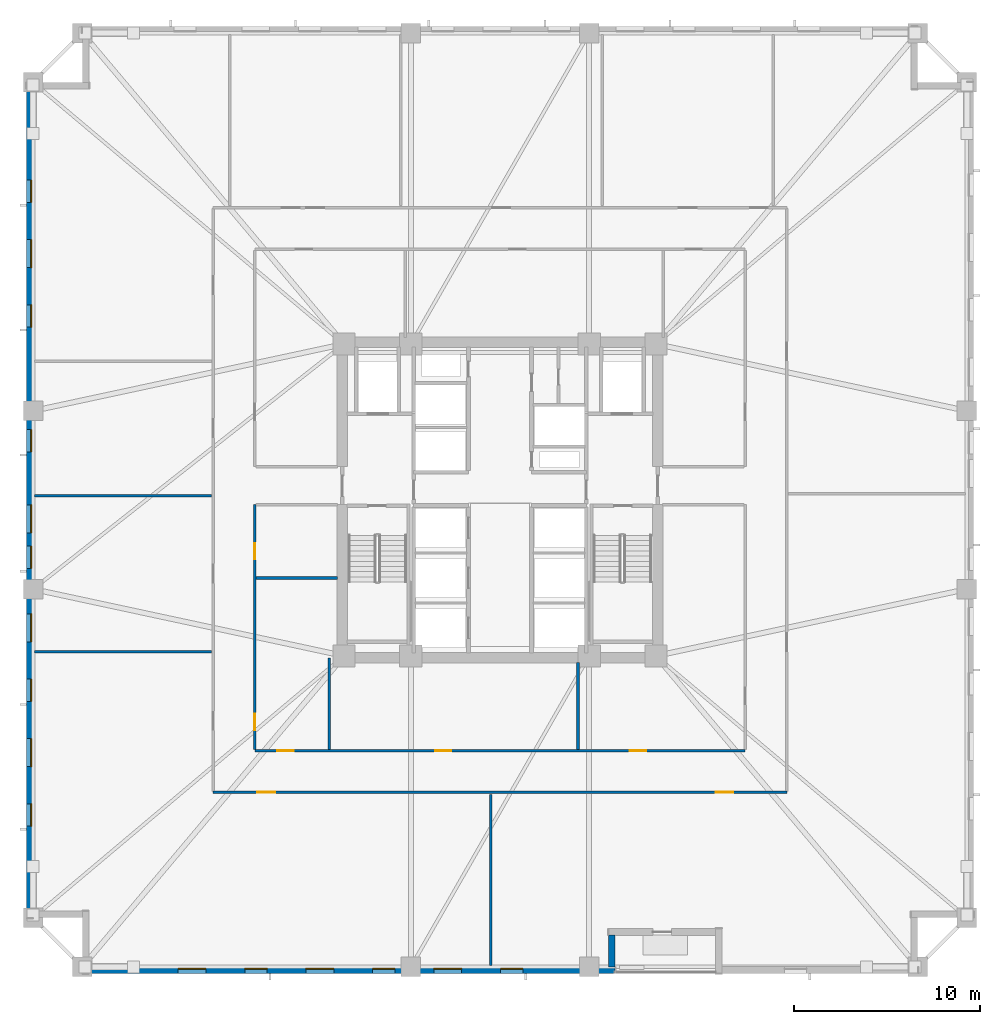
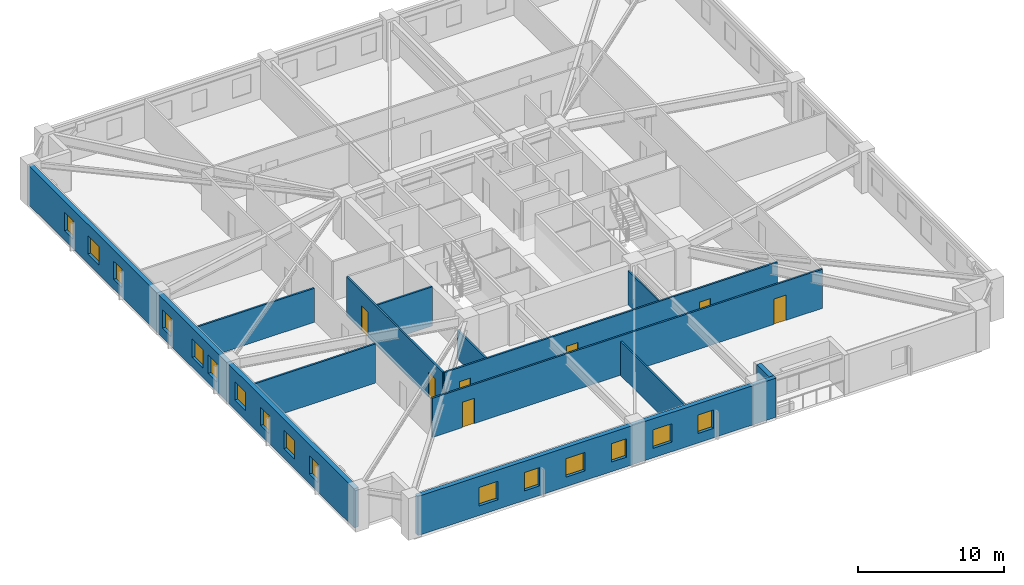
# One storey, part 2 of 11: 16 windows, 12 walls, 7 doors, 23 openings.
"""IFC4 building model written with IfcOpenShell, lengths in metres."""

from ifc_helpers import new_model, si_unit, direction, frame, frame_2d, origin, place, context, subcontext, project, spatial, rectangle, extrude, material, layer, layer_set, type_object, element, fill, save


model = new_model("IFC4")

# Units and contexts
model_context = context("Model", 3, precision=1e-05, world=origin(), true_north=direction((0.0, 1.0)))
body_context = subcontext(model_context, "Body", "Model", "MODEL_VIEW")
ifc_project = project(units=[si_unit("LENGTHUNIT", "METRE"), si_unit("AREAUNIT", "SQUARE_METRE"), si_unit("VOLUMEUNIT", "CUBIC_METRE"), si_unit("PLANEANGLEUNIT", "RADIAN"), si_unit("MASSUNIT", "GRAM", prefix="KILO")], contexts=[model_context])

# Site, building, storey
site_placement = place(None, origin())
site = spatial("IfcSite", under=ifc_project, at=site_placement, CompositionType="ELEMENT")
building_placement = place(site_placement, origin())
building = spatial("IfcBuilding", under=site, at=building_placement, Name="Cairnveth Concourse Tower", CompositionType="ELEMENT")
storey_placement = place(building_placement, frame((0.0, 0.0, 48.0)))
storey = spatial("IfcBuildingStorey", under=building, at=storey_placement, Name="L12", CompositionType="ELEMENT", Elevation=48.0)

# Wall, openings, doors
ifc_material_1 = material(Name="Gypsum Plasterboard Partition", Category="gypsum")
ifc_layer_1 = layer(ifc_material_1, 0.139892578125)
ifc_layer_set_1 = layer_set([ifc_layer_1], Name="Gypsum Plasterboard Partition")
wall_type_1 = type_object("IfcWallType", Name="GYPSUM STUD PARTITION 140", PredefinedType="PARTITIONING", material=ifc_layer_set_1)
wall_1_placement = place(storey_placement, frame((36.550048828125, 23.25, 0.0), z_axis=(0.0, 0.0, 1.0), x_axis=(1.0, 0.0, 0.0)))
wall_1 = element("IfcWall", 1, at=wall_1_placement, inside=storey, type_object=wall_type_1, Name="Interior Wall IW-L12-038", PredefinedType="PARTITIONING", context=body_context, shape_type="SweptSolid", body=[
    extrude(rectangle(XDim=30.89990234375, YDim=0.139892578125, at=frame_2d((15.449951171875, 0.0))), origin(), (0.0, 0.0, 1.0), 3.280029296875),
])
opening_1_placement = place(wall_1_placement, frame((2.38623046875, 0.0, 0.0)))
opening_1 = element("IfcOpeningElement", 2, at=opening_1_placement, cuts=wall_1, Name="Opening ID11", PredefinedType="OPENING", context=body_context, shape_type="SweptSolid", body=[
    extrude(rectangle(XDim=0.9599609375, YDim=2.1201171875, at=frame_2d((0.47998046875, 1.06005859375))), frame((0.0, 0.079833984375, 0.0), z_axis=(0.0, -1.0, 0.0), x_axis=(1.0, 0.0, 0.0)), (0.0, 0.0, 1.0), 0.159912109375),
])
opening_2_placement = place(wall_1_placement, frame((27.06640625, 0.0, 0.0)))
opening_2 = element("IfcOpeningElement", 3, at=opening_2_placement, cuts=wall_1, Name="Opening ID11", PredefinedType="OPENING", context=body_context, shape_type="SweptSolid", body=[
    extrude(rectangle(XDim=0.9599609375, YDim=2.1201171875, at=frame_2d((0.47998046875, 1.06005859375))), frame((0.0, 0.079833984375, 0.0), z_axis=(0.0, -1.0, 0.0), x_axis=(1.0, 0.0, 0.0)), (0.0, 0.0, 1.0), 0.159912109375),
])
ifc_material_2 = material(Name="Solid Core Hardwood Timber Leaf", Category="wood")
door_type_1 = type_object("IfcDoorType", Name="INTERIOR SINGLE DOOR 960X2150", OperationType="NOTDEFINED", PredefinedType="DOOR", material=ifc_material_2)
door_1_placement = place(opening_1_placement, origin())
door_1 = element("IfcDoor", 4, at=door_1_placement, inside=storey, type_object=door_type_1, Name="Office Door L12-S1", OperationType="SINGLE_SWING_LEFT", OverallHeight=2.1201171875, OverallWidth=0.9599609375, PredefinedType="DOOR", context=body_context, shape_type="SweptSolid", body=[
    extrude(rectangle(XDim=0.9599609375, YDim=2.1201171875, at=frame_2d((0.47998046875, 1.06005859375))), frame((0.0, 0.02490234375, 0.0), z_axis=(0.0, -1.0, 0.0), x_axis=(1.0, 0.0, 0.0)), (0.0, 0.0, 1.0), 0.050048828125),
])
fill(opening_1, door_1)
door_2_placement = place(opening_2_placement, origin())
door_2 = element("IfcDoor", 5, at=door_2_placement, inside=storey, type_object=door_type_1, Name="Office Door L12-S2", OperationType="SINGLE_SWING_RIGHT", OverallHeight=2.1201171875, OverallWidth=0.9599609375, PredefinedType="DOOR", context=body_context, shape_type="SweptSolid", body=[
    extrude(rectangle(XDim=0.9599609375, YDim=2.1201171875, at=frame_2d((0.47998046875, 1.06005859375))), frame((0.0, 0.02490234375, 0.0), z_axis=(0.0, -1.0, 0.0), x_axis=(1.0, 0.0, 0.0)), (0.0, 0.0, 1.0), 0.050048828125),
])
fill(opening_2, door_2)

wall_2_placement = place(storey_placement, frame((38.800048828125, 25.5, 0.0), z_axis=(0.0, 0.0, 1.0), x_axis=(1.0, 0.0, 0.0)))
wall_2 = element("IfcWall", 6, at=wall_2_placement, inside=storey, type_object=wall_type_1, Name="Interior Wall IW-L12-042", PredefinedType="PARTITIONING", context=body_context, shape_type="SweptSolid", body=[
    extrude(rectangle(XDim=26.39990234375, YDim=0.139892578125, at=frame_2d((13.199951171875, 0.0))), origin(), (0.0, 0.0, 1.0), 3.280029296875),
])
opening_3_placement = place(wall_2_placement, frame((1.199951171875, 0.0, 0.0)))
opening_3 = element("IfcOpeningElement", 7, at=opening_3_placement, cuts=wall_2, Name="Opening ID18", PredefinedType="OPENING", context=body_context, shape_type="SweptSolid", body=[
    extrude(rectangle(XDim=0.8798828125, YDim=2.10009765625, at=frame_2d((0.43994140625, 1.050048828125))), frame((0.0, 0.079833984375, 0.0), z_axis=(0.0, -1.0, 0.0), x_axis=(1.0, 0.0, 0.0)), (0.0, 0.0, 1.0), 0.159912109375),
])
opening_4_placement = place(wall_2_placement, frame((9.699951171875, 0.0, 0.0)))
opening_4 = element("IfcOpeningElement", 8, at=opening_4_placement, cuts=wall_2, Name="Opening ID18", PredefinedType="OPENING", context=body_context, shape_type="SweptSolid", body=[
    extrude(rectangle(XDim=0.8798828125, YDim=2.10009765625, at=frame_2d((0.43994140625, 1.050048828125))), frame((0.0, 0.079833984375, 0.0), z_axis=(0.0, -1.0, 0.0), x_axis=(1.0, 0.0, 0.0)), (0.0, 0.0, 1.0), 0.159912109375),
])
opening_5_placement = place(wall_2_placement, frame((20.199951171875, 0.0, 0.0)))
opening_5 = element("IfcOpeningElement", 9, at=opening_5_placement, cuts=wall_2, Name="Opening ID18", PredefinedType="OPENING", context=body_context, shape_type="SweptSolid", body=[
    extrude(rectangle(XDim=0.8798828125, YDim=2.10009765625, at=frame_2d((0.43994140625, 1.050048828125))), frame((0.0, 0.079833984375, 0.0), z_axis=(0.0, -1.0, 0.0), x_axis=(1.0, 0.0, 0.0)), (0.0, 0.0, 1.0), 0.159912109375),
])
door_type_2 = type_object("IfcDoorType", Name="INTERIOR SINGLE DOOR 880X2100", OperationType="NOTDEFINED", PredefinedType="DOOR", material=ifc_material_2)
door_3_placement = place(opening_3_placement, origin())
door_3 = element("IfcDoor", 10, at=door_3_placement, inside=storey, type_object=door_type_2, Name="Interior Door DR-L12-014", OperationType="SINGLE_SWING_RIGHT", OverallHeight=2.10009765625, OverallWidth=0.8798828125, PredefinedType="DOOR", context=body_context, shape_type="SweptSolid", body=[
    extrude(rectangle(XDim=0.8798828125, YDim=2.10009765625, at=frame_2d((0.43994140625, 1.050048828125))), frame((0.0, 0.02490234375, 0.0), z_axis=(0.0, -1.0, 0.0), x_axis=(1.0, 0.0, 0.0)), (0.0, 0.0, 1.0), 0.050048828125),
])
fill(opening_3, door_3)
door_4_placement = place(opening_4_placement, origin())
door_4 = element("IfcDoor", 11, at=door_4_placement, inside=storey, type_object=door_type_2, Name="Interior Door DR-L12-015", OperationType="SINGLE_SWING_LEFT", OverallHeight=2.10009765625, OverallWidth=0.8798828125, PredefinedType="DOOR", context=body_context, shape_type="SweptSolid", body=[
    extrude(rectangle(XDim=0.8798828125, YDim=2.10009765625, at=frame_2d((0.43994140625, 1.050048828125))), frame((0.0, 0.02490234375, 0.0), z_axis=(0.0, -1.0, 0.0), x_axis=(1.0, 0.0, 0.0)), (0.0, 0.0, 1.0), 0.050048828125),
])
fill(opening_4, door_4)
door_5_placement = place(opening_5_placement, origin())
door_5 = element("IfcDoor", 12, at=door_5_placement, inside=storey, type_object=door_type_2, Name="Interior Door DR-L12-016", OperationType="SINGLE_SWING_RIGHT", OverallHeight=2.10009765625, OverallWidth=0.8798828125, PredefinedType="DOOR", context=body_context, shape_type="SweptSolid", body=[
    extrude(rectangle(XDim=0.8798828125, YDim=2.10009765625, at=frame_2d((0.43994140625, 1.050048828125))), frame((0.0, 0.02490234375, 0.0), z_axis=(0.0, -1.0, 0.0), x_axis=(1.0, 0.0, 0.0)), (0.0, 0.0, 1.0), 0.050048828125),
])
fill(opening_5, door_5)

wall_3_placement = place(storey_placement, frame((38.800048828125, 25.554931640625, 0.0), z_axis=(0.0, 0.0, 1.0), x_axis=(0.0, 1.0, 0.0)))
wall_3 = element("IfcWall", 13, at=wall_3_placement, inside=storey, type_object=wall_type_1, Name="Interior Wall IW-L12-044", PredefinedType="PARTITIONING", context=body_context, shape_type="SweptSolid", body=[
    extrude(rectangle(XDim=13.195068359375, YDim=0.139892578125, at=frame_2d((6.59765625, 0.0))), origin(), (0.0, 0.0, 1.0), 3.280029296875),
])
opening_6_placement = place(wall_3_placement, frame((1.044921875, 0.0, 0.0)))
opening_6 = element("IfcOpeningElement", 14, at=opening_6_placement, cuts=wall_3, Name="Opening ID18", PredefinedType="OPENING", context=body_context, shape_type="SweptSolid", body=[
    extrude(rectangle(XDim=0.8798828125, YDim=2.10009765625, at=frame_2d((0.43994140625, 1.050048828125))), frame((0.0, 0.079833984375, 0.0), z_axis=(0.0, -1.0, 0.0), x_axis=(1.0, 0.0, 0.0)), (0.0, 0.0, 1.0), 0.159912109375),
])
opening_7_placement = place(wall_3_placement, frame((10.2451171875, 0.0, 0.0)))
opening_7 = element("IfcOpeningElement", 15, at=opening_7_placement, cuts=wall_3, Name="Opening ID18", PredefinedType="OPENING", context=body_context, shape_type="SweptSolid", body=[
    extrude(rectangle(XDim=0.8798828125, YDim=2.10009765625, at=frame_2d((0.43994140625, 1.050048828125))), frame((0.0, 0.079833984375, 0.0), z_axis=(0.0, -1.0, 0.0), x_axis=(1.0, 0.0, 0.0)), (0.0, 0.0, 1.0), 0.159912109375),
])
door_6_placement = place(opening_6_placement, origin())
door_6 = element("IfcDoor", 16, at=door_6_placement, inside=storey, type_object=door_type_2, Name="Interior Door DR-L12-020", OperationType="SINGLE_SWING_RIGHT", OverallHeight=2.10009765625, OverallWidth=0.8798828125, PredefinedType="DOOR", context=body_context, shape_type="SweptSolid", body=[
    extrude(rectangle(XDim=0.8798828125, YDim=2.10009765625, at=frame_2d((0.43994140625, 1.050048828125))), frame((0.0, 0.02490234375, 0.0), z_axis=(0.0, -1.0, 0.0), x_axis=(1.0, 0.0, 0.0)), (0.0, 0.0, 1.0), 0.050048828125),
])
fill(opening_6, door_6)
door_7_placement = place(opening_7_placement, origin())
door_7 = element("IfcDoor", 17, at=door_7_placement, inside=storey, type_object=door_type_2, Name="Interior Door DR-L12-021", OperationType="SINGLE_SWING_LEFT", OverallHeight=2.10009765625, OverallWidth=0.8798828125, PredefinedType="DOOR", context=body_context, shape_type="SweptSolid", body=[
    extrude(rectangle(XDim=0.8798828125, YDim=2.10009765625, at=frame_2d((0.43994140625, 1.050048828125))), frame((0.0, 0.02490234375, 0.0), z_axis=(0.0, -1.0, 0.0), x_axis=(1.0, 0.0, 0.0)), (0.0, 0.0, 1.0), 0.050048828125),
])
fill(opening_7, door_7)

# Walls
wall_4_placement = place(storey_placement, frame((42.800048828125, 25.554931640625, 0.0), z_axis=(0.0, 0.0, 1.0), x_axis=(0.0, 1.0, 0.0)))
element("IfcWall", 18, at=wall_4_placement, inside=storey, type_object=wall_type_1, Name="Interior Wall IW-L12-052", PredefinedType="PARTITIONING", context=body_context, shape_type="SweptSolid", body=[
    extrude(rectangle(XDim=4.945068359375, YDim=0.139892578125, at=frame_2d((2.47265625, 0.0))), origin(), (0.0, 0.0, 1.0), 2.43896484375),
])
wall_5_placement = place(storey_placement, frame((56.199951171875, 25.554931640625, 0.0), z_axis=(0.0, 0.0, 1.0), x_axis=(0.0, 1.0, 0.0)))
element("IfcWall", 19, at=wall_5_placement, inside=storey, type_object=wall_type_1, Name="Interior Wall IW-L12-053", PredefinedType="PARTITIONING", context=body_context, shape_type="SweptSolid", body=[
    extrude(rectangle(XDim=4.68505859375, YDim=0.139892578125, at=frame_2d((2.342529296875, 0.0))), origin(), (0.0, 0.0, 1.0), 2.84912109375),
])
wall_6_placement = place(storey_placement, frame((38.85498046875, 34.800048828125, 0.0), z_axis=(0.0, 0.0, 1.0), x_axis=(1.0, 0.0, 0.0)))
element("IfcWall", 20, at=wall_6_placement, inside=storey, type_object=wall_type_1, Name="Interior Wall IW-L12-056", PredefinedType="PARTITIONING", context=body_context, shape_type="SweptSolid", body=[
    extrude(rectangle(XDim=4.385009765625, YDim=0.139892578125, at=frame_2d((2.1923828125, 0.0))), origin(), (0.0, 0.0, 1.0), 3.280029296875),
])
wall_7_placement = place(storey_placement, frame((51.512451171875, 13.919921875, 0.0), z_axis=(0.0, 0.0, 1.0), x_axis=(0.0, 1.0, 0.0)))
element("IfcWall", 21, at=wall_7_placement, inside=storey, type_object=wall_type_1, Name="Interior Wall IW-L12-057", PredefinedType="PARTITIONING", context=body_context, shape_type="SweptSolid", body=[
    extrude(rectangle(XDim=9.22998046875, YDim=0.139892578125, at=frame_2d((4.614990234375, 0.0))), origin(), (0.0, 0.0, 1.0), 2.84912109375),
])
wall_8_placement = place(storey_placement, frame((26.919921875, 30.833740234375, 0.0), z_axis=(0.0, 0.0, 1.0), x_axis=(1.0, 0.0, 0.0)))
element("IfcWall", 22, at=wall_8_placement, inside=storey, type_object=wall_type_1, Name="Interior Wall IW-L12-062", PredefinedType="PARTITIONING", context=body_context, shape_type="SweptSolid", body=[
    extrude(rectangle(XDim=9.530029296875, YDim=0.139892578125, at=frame_2d((4.76513671875, 0.0))), origin(), (0.0, 0.0, 1.0), 3.280029296875),
])
wall_9_placement = place(storey_placement, frame((26.919921875, 39.236083984375, 0.0), z_axis=(0.0, 0.0, 1.0), x_axis=(1.0, 0.0, 0.0)))
element("IfcWall", 23, at=wall_9_placement, inside=storey, type_object=wall_type_1, Name="Interior Wall IW-L12-063", PredefinedType="PARTITIONING", context=body_context, shape_type="SweptSolid", body=[
    extrude(rectangle(XDim=9.530029296875, YDim=0.139892578125, at=frame_2d((4.76513671875, 0.0))), origin(), (0.0, 0.0, 1.0), 2.84912109375),
])

# Wall, openings, windows
ifc_material_3 = material(Name="Hawthorn Red-Ochre Fired Clay Brick Masonry", Category="masonry")
ifc_layer_2 = layer(ifc_material_3, 0.360107421875)
ifc_layer_set_2 = layer_set([ifc_layer_2], Name="Hawthorn Red-Ochre Fired Clay Brick Masonry")
wall_type_2 = type_object("IfcWallType", Name="ZONE 1 BRICK PIER SPANDREL WALL 360", PredefinedType="SOLIDWALL", material=ifc_layer_set_2)
wall_10_placement = place(storey_placement, frame((58.199951171875, 13.679931640625, 0.0), z_axis=(0.0, 0.0, 1.0), x_axis=(-1.0, 0.0, 0.0)))
wall_10 = element("IfcWall", 24, at=wall_10_placement, inside=storey, type_object=wall_type_2, Name="Exterior Wall EW-L12-S00", PredefinedType="SOLIDWALL", context=body_context, shape_type="SweptSolid", body=[
    extrude(rectangle(XDim=28.362060546875, YDim=0.360107421875, at=frame_2d((14.18115234375, 0.0))), origin(), (0.0, 0.0, 1.0), 3.280029296875),
])
opening_8_placement = place(wall_10_placement, frame((4.9716796875, 0.0, 0.800048828125)))
opening_8 = element("IfcOpeningElement", 25, at=opening_8_placement, cuts=wall_10, Name="Opening W01", PredefinedType="OPENING", context=body_context, shape_type="SweptSolid", body=[
    extrude(rectangle(XDim=1.199951171875, YDim=1.5439453125, at=frame_2d((0.60009765625, 0.77197265625))), frame((0.0, 0.18994140625, 0.0), z_axis=(0.0, -1.0, 0.0), x_axis=(1.0, 0.0, 0.0)), (0.0, 0.0, 1.0), 0.380126953125),
])
opening_9_placement = place(wall_10_placement, frame((8.265380859375, 0.0, 0.800048828125)))
opening_9 = element("IfcOpeningElement", 26, at=opening_9_placement, cuts=wall_10, Name="Opening W03", PredefinedType="OPENING", context=body_context, shape_type="SweptSolid", body=[
    extrude(rectangle(XDim=1.5, YDim=1.5439453125, at=frame_2d((0.75, 0.77197265625))), frame((0.0, 0.18994140625, 0.0), z_axis=(0.0, -1.0, 0.0), x_axis=(1.0, 0.0, 0.0)), (0.0, 0.0, 1.0), 0.380126953125),
])
opening_10_placement = place(wall_10_placement, frame((11.859130859375, 0.0, 0.800048828125)))
opening_10 = element("IfcOpeningElement", 27, at=opening_10_placement, cuts=wall_10, Name="Opening W01", PredefinedType="OPENING", context=body_context, shape_type="SweptSolid", body=[
    extrude(rectangle(XDim=1.199951171875, YDim=1.5439453125, at=frame_2d((0.60009765625, 0.77197265625))), frame((0.0, 0.18994140625, 0.0), z_axis=(0.0, -1.0, 0.0), x_axis=(1.0, 0.0, 0.0)), (0.0, 0.0, 1.0), 0.380126953125),
])
opening_11_placement = place(wall_10_placement, frame((15.15283203125, 0.0, 0.800048828125)))
opening_11 = element("IfcOpeningElement", 28, at=opening_11_placement, cuts=wall_10, Name="Opening W03", PredefinedType="OPENING", context=body_context, shape_type="SweptSolid", body=[
    extrude(rectangle(XDim=1.5, YDim=1.5439453125, at=frame_2d((0.75, 0.77197265625))), frame((0.0, 0.18994140625, 0.0), z_axis=(0.0, -1.0, 0.0), x_axis=(1.0, 0.0, 0.0)), (0.0, 0.0, 1.0), 0.380126953125),
])
opening_12_placement = place(wall_10_placement, frame((18.74658203125, 0.0, 0.800048828125)))
opening_12 = element("IfcOpeningElement", 29, at=opening_12_placement, cuts=wall_10, Name="Opening W01", PredefinedType="OPENING", context=body_context, shape_type="SweptSolid", body=[
    extrude(rectangle(XDim=1.199951171875, YDim=1.5439453125, at=frame_2d((0.60009765625, 0.77197265625))), frame((0.0, 0.18994140625, 0.0), z_axis=(0.0, -1.0, 0.0), x_axis=(1.0, 0.0, 0.0)), (0.0, 0.0, 1.0), 0.380126953125),
])
opening_13_placement = place(wall_10_placement, frame((22.040283203125, 0.0, 0.800048828125)))
opening_13 = element("IfcOpeningElement", 30, at=opening_13_placement, cuts=wall_10, Name="Opening W03", PredefinedType="OPENING", context=body_context, shape_type="SweptSolid", body=[
    extrude(rectangle(XDim=1.5, YDim=1.5439453125, at=frame_2d((0.75, 0.77197265625))), frame((0.0, 0.18994140625, 0.0), z_axis=(0.0, -1.0, 0.0), x_axis=(1.0, 0.0, 0.0)), (0.0, 0.0, 1.0), 0.380126953125),
])
ifc_material_4 = material(Name="Double Glazed Low-E Clear Glass", Category="glass")
window_type_1 = type_object("IfcWindowType", Name="DEEP-SET GOTHIC LANCET WINDOW 1200X1800", PartitioningType="DOUBLE_PANEL_VERTICAL", PredefinedType="WINDOW", material=ifc_material_4)
window_1_placement = place(opening_8_placement, origin())
window_1 = element("IfcWindow", 31, at=window_1_placement, inside=storey, type_object=window_type_1, Name="Gothic Lancet Window L12-0-1", OverallHeight=1.5439453125, OverallWidth=1.199951171875, PartitioningType="SINGLE_PANEL", PredefinedType="WINDOW", context=body_context, shape_type="SweptSolid", body=[
    extrude(rectangle(XDim=1.199951171875, YDim=1.5439453125, at=frame_2d((0.60009765625, 0.77197265625))), frame((0.0, -0.050048828125, 0.0), z_axis=(0.0, -1.0, 0.0), x_axis=(1.0, 0.0, 0.0)), (0.0, 0.0, 1.0), 0.06005859375),
])
fill(opening_8, window_1)
window_2_placement = place(opening_10_placement, origin())
window_2 = element("IfcWindow", 32, at=window_2_placement, inside=storey, type_object=window_type_1, Name="Gothic Lancet Window L12-0-3", OverallHeight=1.5439453125, OverallWidth=1.199951171875, PartitioningType="SINGLE_PANEL", PredefinedType="WINDOW", context=body_context, shape_type="SweptSolid", body=[
    extrude(rectangle(XDim=1.199951171875, YDim=1.5439453125, at=frame_2d((0.60009765625, 0.77197265625))), frame((0.0, -0.050048828125, 0.0), z_axis=(0.0, -1.0, 0.0), x_axis=(1.0, 0.0, 0.0)), (0.0, 0.0, 1.0), 0.06005859375),
])
fill(opening_10, window_2)
window_3_placement = place(opening_12_placement, origin())
window_3 = element("IfcWindow", 33, at=window_3_placement, inside=storey, type_object=window_type_1, Name="Gothic Lancet Window L12-0-5", OverallHeight=1.5439453125, OverallWidth=1.199951171875, PartitioningType="SINGLE_PANEL", PredefinedType="WINDOW", context=body_context, shape_type="SweptSolid", body=[
    extrude(rectangle(XDim=1.199951171875, YDim=1.5439453125, at=frame_2d((0.60009765625, 0.77197265625))), frame((0.0, -0.050048828125, 0.0), z_axis=(0.0, -1.0, 0.0), x_axis=(1.0, 0.0, 0.0)), (0.0, 0.0, 1.0), 0.06005859375),
])
fill(opening_12, window_3)
window_type_2 = type_object("IfcWindowType", Name="DEEP-SET GOTHIC LANCET WINDOW 1500X1800", PartitioningType="DOUBLE_PANEL_VERTICAL", PredefinedType="WINDOW", material=ifc_material_4)
window_4_placement = place(opening_9_placement, origin())
window_4 = element("IfcWindow", 34, at=window_4_placement, inside=storey, type_object=window_type_2, Name="Gothic Lancet Window L12-0-2", OverallHeight=1.5439453125, OverallWidth=1.5, PartitioningType="SINGLE_PANEL", PredefinedType="WINDOW", context=body_context, shape_type="SweptSolid", body=[
    extrude(rectangle(XDim=1.5, YDim=1.5439453125, at=frame_2d((0.75, 0.77197265625))), frame((0.0, -0.050048828125, 0.0), z_axis=(0.0, -1.0, 0.0), x_axis=(1.0, 0.0, 0.0)), (0.0, 0.0, 1.0), 0.06005859375),
])
fill(opening_9, window_4)
window_5_placement = place(opening_11_placement, origin())
window_5 = element("IfcWindow", 35, at=window_5_placement, inside=storey, type_object=window_type_2, Name="Gothic Lancet Window L12-0-4", OverallHeight=1.5439453125, OverallWidth=1.5, PartitioningType="SINGLE_PANEL", PredefinedType="WINDOW", context=body_context, shape_type="SweptSolid", body=[
    extrude(rectangle(XDim=1.5, YDim=1.5439453125, at=frame_2d((0.75, 0.77197265625))), frame((0.0, -0.050048828125, 0.0), z_axis=(0.0, -1.0, 0.0), x_axis=(1.0, 0.0, 0.0)), (0.0, 0.0, 1.0), 0.06005859375),
])
fill(opening_11, window_5)
window_6_placement = place(opening_13_placement, origin())
window_6 = element("IfcWindow", 36, at=window_6_placement, inside=storey, type_object=window_type_2, Name="Gothic Lancet Window L12-0-6", OverallHeight=1.5439453125, OverallWidth=1.5, PartitioningType="SINGLE_PANEL", PredefinedType="WINDOW", context=body_context, shape_type="SweptSolid", body=[
    extrude(rectangle(XDim=1.5, YDim=1.5439453125, at=frame_2d((0.75, 0.77197265625))), frame((0.0, -0.050048828125, 0.0), z_axis=(0.0, -1.0, 0.0), x_axis=(1.0, 0.0, 0.0)), (0.0, 0.0, 1.0), 0.06005859375),
])
fill(opening_13, window_6)

wall_11_placement = place(storey_placement, frame((26.679931640625, 16.5, 0.0), z_axis=(0.0, 0.0, 1.0), x_axis=(0.0, 1.0, 0.0)))
wall_11 = element("IfcWall", 37, at=wall_11_placement, inside=storey, type_object=wall_type_2, Name="Exterior Wall EW-L12-S03", PredefinedType="SOLIDWALL", context=body_context, shape_type="SweptSolid", body=[
    extrude(rectangle(XDim=44.662109375, YDim=0.360107421875, at=frame_2d((22.3310546875, 0.0))), origin(), (0.0, 0.0, 1.0), 3.280029296875),
])
opening_14_placement = place(wall_11_placement, frame((4.93017578125, 0.0, 0.800048828125)))
opening_14 = element("IfcOpeningElement", 38, at=opening_14_placement, cuts=wall_11, Name="Opening W01", PredefinedType="OPENING", context=body_context, shape_type="SweptSolid", body=[
    extrude(rectangle(XDim=1.199951171875, YDim=1.5439453125, at=frame_2d((0.60009765625, 0.77197265625))), frame((0.0, 0.18994140625, 0.0), z_axis=(0.0, -1.0, 0.0), x_axis=(1.0, 0.0, 0.0)), (0.0, 0.0, 1.0), 0.380126953125),
])
opening_15_placement = place(wall_11_placement, frame((8.140380859375, 0.0, 0.800048828125)))
opening_15 = element("IfcOpeningElement", 39, at=opening_15_placement, cuts=wall_11, Name="Opening W03", PredefinedType="OPENING", context=body_context, shape_type="SweptSolid", body=[
    extrude(rectangle(XDim=1.5, YDim=1.5439453125, at=frame_2d((0.75, 0.77197265625))), frame((0.0, 0.18994140625, 0.0), z_axis=(0.0, -1.0, 0.0), x_axis=(1.0, 0.0, 0.0)), (0.0, 0.0, 1.0), 0.380126953125),
])
opening_16_placement = place(wall_11_placement, frame((11.650390625, 0.0, 0.800048828125)))
opening_16 = element("IfcOpeningElement", 40, at=opening_16_placement, cuts=wall_11, Name="Opening W01", PredefinedType="OPENING", context=body_context, shape_type="SweptSolid", body=[
    extrude(rectangle(XDim=1.199951171875, YDim=1.5439453125, at=frame_2d((0.60009765625, 0.77197265625))), frame((0.0, 0.18994140625, 0.0), z_axis=(0.0, -1.0, 0.0), x_axis=(1.0, 0.0, 0.0)), (0.0, 0.0, 1.0), 0.380126953125),
])
opening_17_placement = place(wall_11_placement, frame((14.860595703125, 0.0, 0.800048828125)))
opening_17 = element("IfcOpeningElement", 41, at=opening_17_placement, cuts=wall_11, Name="Opening W03", PredefinedType="OPENING", context=body_context, shape_type="SweptSolid", body=[
    extrude(rectangle(XDim=1.5, YDim=1.5439453125, at=frame_2d((0.75, 0.77197265625))), frame((0.0, 0.18994140625, 0.0), z_axis=(0.0, -1.0, 0.0), x_axis=(1.0, 0.0, 0.0)), (0.0, 0.0, 1.0), 0.380126953125),
])
opening_18_placement = place(wall_11_placement, frame((18.82080078125, 0.0, 0.800048828125)))
opening_18 = element("IfcOpeningElement", 42, at=opening_18_placement, cuts=wall_11, Name="Opening W01", PredefinedType="OPENING", context=body_context, shape_type="SweptSolid", body=[
    extrude(rectangle(XDim=1.199951171875, YDim=1.5439453125, at=frame_2d((0.60009765625, 0.77197265625))), frame((0.0, 0.18994140625, 0.0), z_axis=(0.0, -1.0, 0.0), x_axis=(1.0, 0.0, 0.0)), (0.0, 0.0, 1.0), 0.380126953125),
])
opening_19_placement = place(wall_11_placement, frame((20.73095703125, 0.0, 0.800048828125)))
opening_19 = element("IfcOpeningElement", 43, at=opening_19_placement, cuts=wall_11, Name="Opening W03", PredefinedType="OPENING", context=body_context, shape_type="SweptSolid", body=[
    extrude(rectangle(XDim=1.5, YDim=1.5439453125, at=frame_2d((0.75, 0.77197265625))), frame((0.0, 0.18994140625, 0.0), z_axis=(0.0, -1.0, 0.0), x_axis=(1.0, 0.0, 0.0)), (0.0, 0.0, 1.0), 0.380126953125),
])
opening_20_placement = place(wall_11_placement, frame((25.09130859375, 0.0, 0.800048828125)))
opening_20 = element("IfcOpeningElement", 44, at=opening_20_placement, cuts=wall_11, Name="Opening W01", PredefinedType="OPENING", context=body_context, shape_type="SweptSolid", body=[
    extrude(rectangle(XDim=1.199951171875, YDim=1.5439453125, at=frame_2d((0.60009765625, 0.77197265625))), frame((0.0, 0.18994140625, 0.0), z_axis=(0.0, -1.0, 0.0), x_axis=(1.0, 0.0, 0.0)), (0.0, 0.0, 1.0), 0.380126953125),
])
opening_21_placement = place(wall_11_placement, frame((31.8115234375, 0.0, 0.800048828125)))
opening_21 = element("IfcOpeningElement", 45, at=opening_21_placement, cuts=wall_11, Name="Opening W01", PredefinedType="OPENING", context=body_context, shape_type="SweptSolid", body=[
    extrude(rectangle(XDim=1.199951171875, YDim=1.5439453125, at=frame_2d((0.60009765625, 0.77197265625))), frame((0.0, 0.18994140625, 0.0), z_axis=(0.0, -1.0, 0.0), x_axis=(1.0, 0.0, 0.0)), (0.0, 0.0, 1.0), 0.380126953125),
])
opening_22_placement = place(wall_11_placement, frame((35.021728515625, 0.0, 0.800048828125)))
opening_22 = element("IfcOpeningElement", 46, at=opening_22_placement, cuts=wall_11, Name="Opening W03", PredefinedType="OPENING", context=body_context, shape_type="SweptSolid", body=[
    extrude(rectangle(XDim=1.5, YDim=1.5439453125, at=frame_2d((0.75, 0.77197265625))), frame((0.0, 0.18994140625, 0.0), z_axis=(0.0, -1.0, 0.0), x_axis=(1.0, 0.0, 0.0)), (0.0, 0.0, 1.0), 0.380126953125),
])
opening_23_placement = place(wall_11_placement, frame((38.531982421875, 0.0, 0.800048828125)))
opening_23 = element("IfcOpeningElement", 47, at=opening_23_placement, cuts=wall_11, Name="Opening W01", PredefinedType="OPENING", context=body_context, shape_type="SweptSolid", body=[
    extrude(rectangle(XDim=1.199951171875, YDim=1.5439453125, at=frame_2d((0.60009765625, 0.77197265625))), frame((0.0, 0.18994140625, 0.0), z_axis=(0.0, -1.0, 0.0), x_axis=(1.0, 0.0, 0.0)), (0.0, 0.0, 1.0), 0.380126953125),
])
window_7_placement = place(opening_14_placement, origin())
window_7 = element("IfcWindow", 48, at=window_7_placement, inside=storey, type_object=window_type_1, Name="Gothic Lancet Window L12-3-1", OverallHeight=1.5439453125, OverallWidth=1.199951171875, PartitioningType="SINGLE_PANEL", PredefinedType="WINDOW", context=body_context, shape_type="SweptSolid", body=[
    extrude(rectangle(XDim=1.199951171875, YDim=1.5439453125, at=frame_2d((0.60009765625, 0.77197265625))), frame((0.0, -0.050048828125, 0.0), z_axis=(0.0, -1.0, 0.0), x_axis=(1.0, 0.0, 0.0)), (0.0, 0.0, 1.0), 0.06005859375),
])
fill(opening_14, window_7)
window_8_placement = place(opening_16_placement, origin())
window_8 = element("IfcWindow", 49, at=window_8_placement, inside=storey, type_object=window_type_1, Name="Gothic Lancet Window L12-3-3", OverallHeight=1.5439453125, OverallWidth=1.199951171875, PartitioningType="SINGLE_PANEL", PredefinedType="WINDOW", context=body_context, shape_type="SweptSolid", body=[
    extrude(rectangle(XDim=1.199951171875, YDim=1.5439453125, at=frame_2d((0.60009765625, 0.77197265625))), frame((0.0, -0.050048828125, 0.0), z_axis=(0.0, -1.0, 0.0), x_axis=(1.0, 0.0, 0.0)), (0.0, 0.0, 1.0), 0.06005859375),
])
fill(opening_16, window_8)
window_9_placement = place(opening_18_placement, origin())
window_9 = element("IfcWindow", 50, at=window_9_placement, inside=storey, type_object=window_type_1, Name="Gothic Lancet Window L12-3-5", OverallHeight=1.5439453125, OverallWidth=1.199951171875, PartitioningType="SINGLE_PANEL", PredefinedType="WINDOW", context=body_context, shape_type="SweptSolid", body=[
    extrude(rectangle(XDim=1.199951171875, YDim=1.5439453125, at=frame_2d((0.60009765625, 0.77197265625))), frame((0.0, -0.050048828125, 0.0), z_axis=(0.0, -1.0, 0.0), x_axis=(1.0, 0.0, 0.0)), (0.0, 0.0, 1.0), 0.06005859375),
])
fill(opening_18, window_9)
window_10_placement = place(opening_20_placement, origin())
window_10 = element("IfcWindow", 51, at=window_10_placement, inside=storey, type_object=window_type_1, Name="Gothic Lancet Window L12-3-7", OverallHeight=1.5439453125, OverallWidth=1.199951171875, PartitioningType="SINGLE_PANEL", PredefinedType="WINDOW", context=body_context, shape_type="SweptSolid", body=[
    extrude(rectangle(XDim=1.199951171875, YDim=1.5439453125, at=frame_2d((0.60009765625, 0.77197265625))), frame((0.0, -0.050048828125, 0.0), z_axis=(0.0, -1.0, 0.0), x_axis=(1.0, 0.0, 0.0)), (0.0, 0.0, 1.0), 0.06005859375),
])
fill(opening_20, window_10)
window_11_placement = place(opening_21_placement, origin())
window_11 = element("IfcWindow", 52, at=window_11_placement, inside=storey, type_object=window_type_1, Name="Gothic Lancet Window L12-3-9", OverallHeight=1.5439453125, OverallWidth=1.199951171875, PartitioningType="SINGLE_PANEL", PredefinedType="WINDOW", context=body_context, shape_type="SweptSolid", body=[
    extrude(rectangle(XDim=1.199951171875, YDim=1.5439453125, at=frame_2d((0.60009765625, 0.77197265625))), frame((0.0, -0.050048828125, 0.0), z_axis=(0.0, -1.0, 0.0), x_axis=(1.0, 0.0, 0.0)), (0.0, 0.0, 1.0), 0.06005859375),
])
fill(opening_21, window_11)
window_12_placement = place(opening_23_placement, origin())
window_12 = element("IfcWindow", 53, at=window_12_placement, inside=storey, type_object=window_type_1, Name="Gothic Lancet Window L12-3-11", OverallHeight=1.5439453125, OverallWidth=1.199951171875, PartitioningType="SINGLE_PANEL", PredefinedType="WINDOW", context=body_context, shape_type="SweptSolid", body=[
    extrude(rectangle(XDim=1.199951171875, YDim=1.5439453125, at=frame_2d((0.60009765625, 0.77197265625))), frame((0.0, -0.050048828125, 0.0), z_axis=(0.0, -1.0, 0.0), x_axis=(1.0, 0.0, 0.0)), (0.0, 0.0, 1.0), 0.06005859375),
])
fill(opening_23, window_12)
window_13_placement = place(opening_15_placement, origin())
window_13 = element("IfcWindow", 54, at=window_13_placement, inside=storey, type_object=window_type_2, Name="Gothic Lancet Window L12-3-2", OverallHeight=1.5439453125, OverallWidth=1.5, PartitioningType="SINGLE_PANEL", PredefinedType="WINDOW", context=body_context, shape_type="SweptSolid", body=[
    extrude(rectangle(XDim=1.5, YDim=1.5439453125, at=frame_2d((0.75, 0.77197265625))), frame((0.0, -0.050048828125, 0.0), z_axis=(0.0, -1.0, 0.0), x_axis=(1.0, 0.0, 0.0)), (0.0, 0.0, 1.0), 0.06005859375),
])
fill(opening_15, window_13)
window_14_placement = place(opening_17_placement, origin())
window_14 = element("IfcWindow", 55, at=window_14_placement, inside=storey, type_object=window_type_2, Name="Gothic Lancet Window L12-3-4", OverallHeight=1.5439453125, OverallWidth=1.5, PartitioningType="SINGLE_PANEL", PredefinedType="WINDOW", context=body_context, shape_type="SweptSolid", body=[
    extrude(rectangle(XDim=1.5, YDim=1.5439453125, at=frame_2d((0.75, 0.77197265625))), frame((0.0, -0.050048828125, 0.0), z_axis=(0.0, -1.0, 0.0), x_axis=(1.0, 0.0, 0.0)), (0.0, 0.0, 1.0), 0.06005859375),
])
fill(opening_17, window_14)
window_15_placement = place(opening_19_placement, origin())
window_15 = element("IfcWindow", 56, at=window_15_placement, inside=storey, type_object=window_type_2, Name="Gothic Lancet Window L12-3-6", OverallHeight=1.5439453125, OverallWidth=1.5, PartitioningType="SINGLE_PANEL", PredefinedType="WINDOW", context=body_context, shape_type="SweptSolid", body=[
    extrude(rectangle(XDim=1.5, YDim=1.5439453125, at=frame_2d((0.75, 0.77197265625))), frame((0.0, -0.050048828125, 0.0), z_axis=(0.0, -1.0, 0.0), x_axis=(1.0, 0.0, 0.0)), (0.0, 0.0, 1.0), 0.06005859375),
])
fill(opening_19, window_15)
window_16_placement = place(opening_22_placement, origin())
window_16 = element("IfcWindow", 57, at=window_16_placement, inside=storey, type_object=window_type_2, Name="Gothic Lancet Window L12-3-10", OverallHeight=1.5439453125, OverallWidth=1.5, PartitioningType="SINGLE_PANEL", PredefinedType="WINDOW", context=body_context, shape_type="SweptSolid", body=[
    extrude(rectangle(XDim=1.5, YDim=1.5439453125, at=frame_2d((0.75, 0.77197265625))), frame((0.0, -0.050048828125, 0.0), z_axis=(0.0, -1.0, 0.0), x_axis=(1.0, 0.0, 0.0)), (0.0, 0.0, 1.0), 0.06005859375),
])
fill(opening_22, window_16)

# Wall
wall_12_placement = place(storey_placement, frame((58.02001953125, 15.572021484375, 0.0), z_axis=(0.0, 0.0, 1.0), x_axis=(0.0, -1.0, 0.0)))
element("IfcWall", 58, at=wall_12_placement, inside=storey, type_object=wall_type_2, Name="Exterior Wall EW-L12-S15", PredefinedType="SOLIDWALL", context=body_context, shape_type="SweptSolid", body=[
    extrude(rectangle(XDim=1.734130859375, YDim=0.360107421875, at=frame_2d((0.8671875, 0.0))), origin(), (0.0, 0.0, 1.0), 3.280029296875),
])

save(model, "model.ifc")
